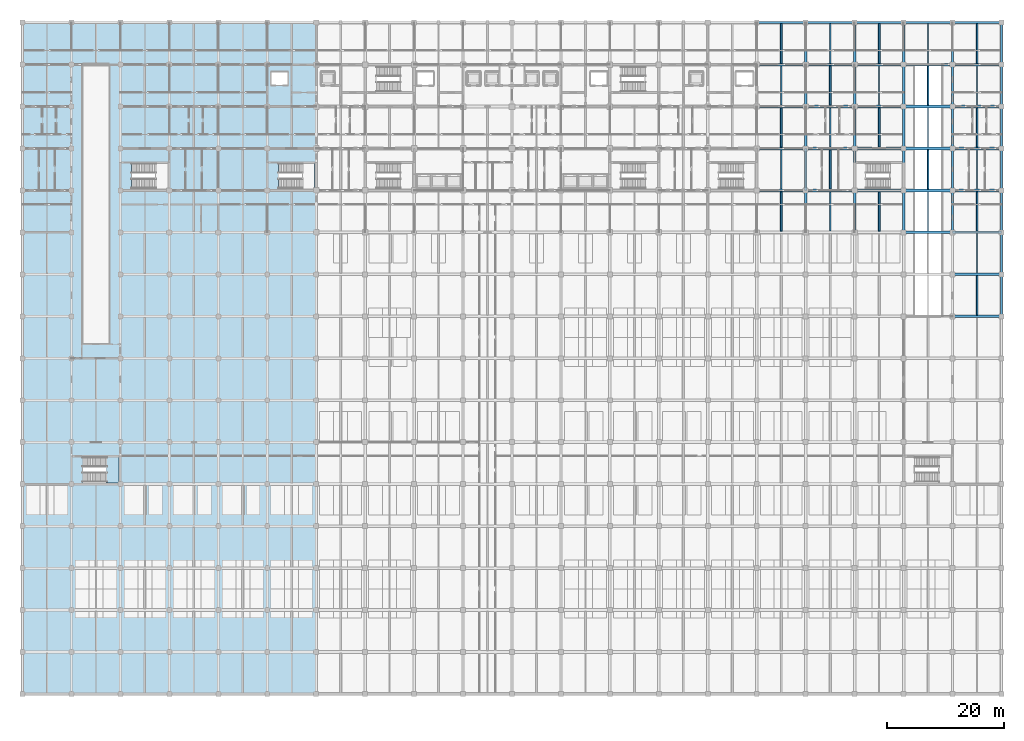
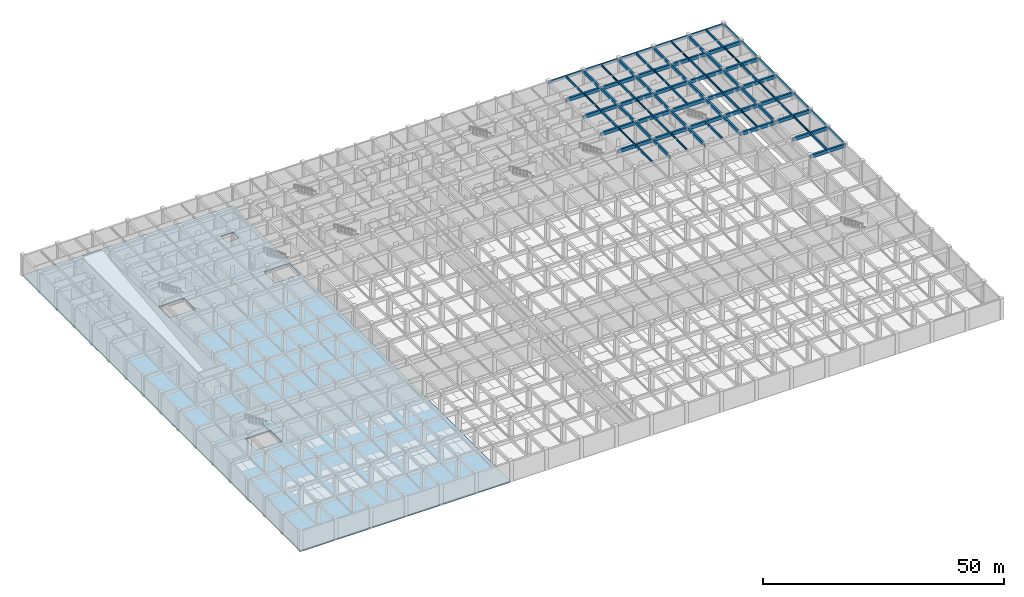
# One storey, part 11 of 48: 82 beams, 2 slabs, 1 element without a shape of its own.
"""IFC4 building model written with IfcOpenShell, lengths in metres."""

from ifc_helpers import new_model, si_unit, direction, frame, origin, origin_2d, place, context, subcontext, project, spatial, polyline, rectangle, i_section, outline, extrude, material, layer, layer_set, material_profile, profile_set, type_object, element, aggregate, save


model = new_model("IFC4")

# Units and contexts
model_context = context("Model", 3, precision=1e-05, world=origin(), true_north=direction((0.0, 1.0)))
body_context = subcontext(model_context, "Body", "Model", "MODEL_VIEW")
ifc_project = project(units=[si_unit("LENGTHUNIT", "METRE"), si_unit("AREAUNIT", "SQUARE_METRE"), si_unit("VOLUMEUNIT", "CUBIC_METRE"), si_unit("PLANEANGLEUNIT", "RADIAN"), si_unit("MASSUNIT", "GRAM", prefix="KILO")], contexts=[model_context])

# Site, building, storey
site_placement = place(None, origin())
site = spatial("IfcSite", under=ifc_project, at=site_placement, CompositionType="ELEMENT")
building_placement = place(site_placement, origin())
building = spatial("IfcBuilding", under=site, at=building_placement, Name="Chengyuan Square Courthouse", CompositionType="ELEMENT")
storey_placement = place(building_placement, frame((0.0, 0.0, -5.39990234375)))
storey = spatial("IfcBuildingStorey", under=building, at=storey_placement, Name="B01", CompositionType="ELEMENT", Elevation=-5.39990234375)

# Beams
ifc_material_1 = material(Name="Concrete C40", Category="concrete")
ifc_material_profile_1 = material_profile(ifc_material_1, rectangle(XDim=0.449951171875, YDim=0.85009765625, at=origin_2d()), Name="RC-BM-450x850")
ifc_profile_set_1 = profile_set([ifc_material_profile_1], Name="Concrete C40")
beam_type_1 = type_object("IfcBeamType", Name="BM-01", PredefinedType="USERDEFINED", material=ifc_profile_set_1)
for number, where, z_axis, x_axis, name in (
    (1, (159.60009765625, 64.800048828125, 4.6748046875), (1.0, 0.0, 0.0), (0.0, 1.0, 0.0), "Girder BM-B01-0870"),
    (2, (159.60009765625, 72.0, 4.6748046875), (1.0, 0.0, 0.0), (0.0, 1.0, 0.0), "Girder BM-B01-0889"),
):
    element("IfcBeam", number, at=place(storey_placement, frame(where, z_axis=z_axis, x_axis=x_axis)), inside=storey, type_object=beam_type_1, Name=name, ObjectType="GIRDER", PredefinedType="USERDEFINED", context=body_context, shape_type="SweptSolid", body=[
        extrude(rectangle(XDim=0.449951171875, YDim=0.85009765625, at=origin_2d()), origin(), (0.0, 0.0, 1.0), 8.39990234375),
    ])
beam_1_placement = place(storey_placement, frame((151.199951171875, 79.199951171875, 4.6748046875), z_axis=(1.0, 0.0, 0.0), x_axis=(0.0, 1.0, 0.0)))
element("IfcBeam", 3, at=beam_1_placement, inside=storey, type_object=beam_type_1, Name="Girder BM-B01-0907", ObjectType="GIRDER", PredefinedType="USERDEFINED", context=body_context, shape_type="SweptSolid", body=[
    extrude(rectangle(XDim=0.449951171875, YDim=0.85009765625, at=origin_2d()), origin(), (0.0, 0.0, 1.0), 8.400146484375),
])
for number, where, z_axis, x_axis, name in (
    (4, (159.60009765625, 79.199951171875, 4.6748046875), (1.0, 0.0, 0.0), (0.0, 1.0, 0.0), "Girder BM-B01-0908"),
    (5, (126.0, 86.39990234375, 4.6748046875), (1.0, 0.0, 0.0), (0.0, 1.0, 0.0), "Girder BM-B01-0923"),
):
    element("IfcBeam", number, at=place(storey_placement, frame(where, z_axis=z_axis, x_axis=x_axis)), inside=storey, type_object=beam_type_1, Name=name, ObjectType="GIRDER", PredefinedType="USERDEFINED", context=body_context, shape_type="SweptSolid", body=[
        extrude(rectangle(XDim=0.449951171875, YDim=0.85009765625, at=origin_2d()), origin(), (0.0, 0.0, 1.0), 8.39990234375),
    ])
beam_2_placement = place(storey_placement, frame((134.39990234375, 86.39990234375, 4.6748046875), z_axis=(1.0, 0.0, 0.0), x_axis=(0.0, 1.0, 0.0)))
element("IfcBeam", 6, at=beam_2_placement, inside=storey, type_object=beam_type_1, Name="Girder BM-B01-0924", ObjectType="GIRDER", PredefinedType="USERDEFINED", context=body_context, shape_type="SweptSolid", body=[
    extrude(rectangle(XDim=0.449951171875, YDim=0.85009765625, at=origin_2d()), origin(), (0.0, 0.0, 1.0), 8.400146484375),
])
beam_3_placement = place(storey_placement, frame((142.800048828125, 86.39990234375, 4.6748046875), z_axis=(1.0, 0.0, 0.0), x_axis=(0.0, 1.0, 0.0)))
element("IfcBeam", 7, at=beam_3_placement, inside=storey, type_object=beam_type_1, Name="Girder BM-B01-0925", ObjectType="GIRDER", PredefinedType="USERDEFINED", context=body_context, shape_type="SweptSolid", body=[
    extrude(rectangle(XDim=0.449951171875, YDim=0.85009765625, at=origin_2d()), origin(), (0.0, 0.0, 1.0), 8.39990234375),
])
beam_4_placement = place(storey_placement, frame((151.199951171875, 86.39990234375, 4.6748046875), z_axis=(1.0, 0.0, 0.0), x_axis=(0.0, 1.0, 0.0)))
element("IfcBeam", 8, at=beam_4_placement, inside=storey, type_object=beam_type_1, Name="Girder BM-B01-0926", ObjectType="GIRDER", PredefinedType="USERDEFINED", context=body_context, shape_type="SweptSolid", body=[
    extrude(rectangle(XDim=0.449951171875, YDim=0.85009765625, at=origin_2d()), origin(), (0.0, 0.0, 1.0), 8.400146484375),
])
for number, where, z_axis, x_axis, name in (
    (9, (159.60009765625, 86.39990234375, 4.6748046875), (1.0, 0.0, 0.0), (0.0, 1.0, 0.0), "Girder BM-B01-0927"),
    (10, (126.0, 93.60009765625, 4.6748046875), (1.0, 0.0, 0.0), (0.0, 1.0, 0.0), "Girder BM-B01-0942"),
):
    element("IfcBeam", number, at=place(storey_placement, frame(where, z_axis=z_axis, x_axis=x_axis)), inside=storey, type_object=beam_type_1, Name=name, ObjectType="GIRDER", PredefinedType="USERDEFINED", context=body_context, shape_type="SweptSolid", body=[
        extrude(rectangle(XDim=0.449951171875, YDim=0.85009765625, at=origin_2d()), origin(), (0.0, 0.0, 1.0), 8.39990234375),
    ])
beam_5_placement = place(storey_placement, frame((134.39990234375, 93.60009765625, 4.6748046875), z_axis=(1.0, 0.0, 0.0), x_axis=(0.0, 1.0, 0.0)))
element("IfcBeam", 11, at=beam_5_placement, inside=storey, type_object=beam_type_1, Name="Girder BM-B01-0943", ObjectType="GIRDER", PredefinedType="USERDEFINED", context=body_context, shape_type="SweptSolid", body=[
    extrude(rectangle(XDim=0.449951171875, YDim=0.85009765625, at=origin_2d()), origin(), (0.0, 0.0, 1.0), 8.400146484375),
])
beam_6_placement = place(storey_placement, frame((142.800048828125, 93.60009765625, 4.6748046875), z_axis=(1.0, 0.0, 0.0), x_axis=(0.0, 1.0, 0.0)))
element("IfcBeam", 12, at=beam_6_placement, inside=storey, type_object=beam_type_1, Name="Girder BM-B01-0944", ObjectType="GIRDER", PredefinedType="USERDEFINED", context=body_context, shape_type="SweptSolid", body=[
    extrude(rectangle(XDim=0.449951171875, YDim=0.85009765625, at=origin_2d()), origin(), (0.0, 0.0, 1.0), 8.39990234375),
])
beam_7_placement = place(storey_placement, frame((151.199951171875, 93.60009765625, 4.6748046875), z_axis=(1.0, 0.0, 0.0), x_axis=(0.0, 1.0, 0.0)))
element("IfcBeam", 13, at=beam_7_placement, inside=storey, type_object=beam_type_1, Name="Girder BM-B01-0945", ObjectType="GIRDER", PredefinedType="USERDEFINED", context=body_context, shape_type="SweptSolid", body=[
    extrude(rectangle(XDim=0.449951171875, YDim=0.85009765625, at=origin_2d()), origin(), (0.0, 0.0, 1.0), 8.400146484375),
])
for number, where, z_axis, x_axis, name in (
    (14, (159.60009765625, 93.60009765625, 4.6748046875), (1.0, 0.0, 0.0), (0.0, 1.0, 0.0), "Girder BM-B01-0946"),
    (15, (126.0, 100.800048828125, 4.6748046875), (1.0, 0.0, 0.0), (0.0, 1.0, 0.0), "Girder BM-B01-0961"),
):
    element("IfcBeam", number, at=place(storey_placement, frame(where, z_axis=z_axis, x_axis=x_axis)), inside=storey, type_object=beam_type_1, Name=name, ObjectType="GIRDER", PredefinedType="USERDEFINED", context=body_context, shape_type="SweptSolid", body=[
        extrude(rectangle(XDim=0.449951171875, YDim=0.85009765625, at=origin_2d()), origin(), (0.0, 0.0, 1.0), 8.39990234375),
    ])
beam_8_placement = place(storey_placement, frame((134.39990234375, 100.800048828125, 4.6748046875), z_axis=(1.0, 0.0, 0.0), x_axis=(0.0, 1.0, 0.0)))
element("IfcBeam", 16, at=beam_8_placement, inside=storey, type_object=beam_type_1, Name="Girder BM-B01-0962", ObjectType="GIRDER", PredefinedType="USERDEFINED", context=body_context, shape_type="SweptSolid", body=[
    extrude(rectangle(XDim=0.449951171875, YDim=0.85009765625, at=origin_2d()), origin(), (0.0, 0.0, 1.0), 8.400146484375),
])
beam_9_placement = place(storey_placement, frame((142.800048828125, 100.800048828125, 4.6748046875), z_axis=(1.0, 0.0, 0.0), x_axis=(0.0, 1.0, 0.0)))
element("IfcBeam", 17, at=beam_9_placement, inside=storey, type_object=beam_type_1, Name="Girder BM-B01-0963", ObjectType="GIRDER", PredefinedType="USERDEFINED", context=body_context, shape_type="SweptSolid", body=[
    extrude(rectangle(XDim=0.449951171875, YDim=0.85009765625, at=origin_2d()), origin(), (0.0, 0.0, 1.0), 8.39990234375),
])
beam_10_placement = place(storey_placement, frame((151.199951171875, 100.800048828125, 4.6748046875), z_axis=(1.0, 0.0, 0.0), x_axis=(0.0, 1.0, 0.0)))
element("IfcBeam", 18, at=beam_10_placement, inside=storey, type_object=beam_type_1, Name="Girder BM-B01-0964", ObjectType="GIRDER", PredefinedType="USERDEFINED", context=body_context, shape_type="SweptSolid", body=[
    extrude(rectangle(XDim=0.449951171875, YDim=0.85009765625, at=origin_2d()), origin(), (0.0, 0.0, 1.0), 8.400146484375),
])
for number, where, z_axis, x_axis, name in (
    (19, (159.60009765625, 100.800048828125, 4.6748046875), (1.0, 0.0, 0.0), (0.0, 1.0, 0.0), "Girder BM-B01-0965"),
    (20, (126.0, 108.0, 4.554931640625), (1.0, 0.0, 0.0), (0.0, 1.0, 0.0), "Girder BM-B01-0981"),
):
    element("IfcBeam", number, at=place(storey_placement, frame(where, z_axis=z_axis, x_axis=x_axis)), inside=storey, type_object=beam_type_1, Name=name, ObjectType="GIRDER", PredefinedType="USERDEFINED", context=body_context, shape_type="SweptSolid", body=[
        extrude(rectangle(XDim=0.449951171875, YDim=0.85009765625, at=origin_2d()), origin(), (0.0, 0.0, 1.0), 8.39990234375),
    ])
beam_11_placement = place(storey_placement, frame((134.39990234375, 108.0, 4.554931640625), z_axis=(1.0, 0.0, 0.0), x_axis=(0.0, 1.0, 0.0)))
element("IfcBeam", 21, at=beam_11_placement, inside=storey, type_object=beam_type_1, Name="Girder BM-B01-0982", ObjectType="GIRDER", PredefinedType="USERDEFINED", context=body_context, shape_type="SweptSolid", body=[
    extrude(rectangle(XDim=0.449951171875, YDim=0.85009765625, at=origin_2d()), origin(), (0.0, 0.0, 1.0), 8.400146484375),
])
beam_12_placement = place(storey_placement, frame((142.800048828125, 108.0, 4.554931640625), z_axis=(1.0, 0.0, 0.0), x_axis=(0.0, 1.0, 0.0)))
element("IfcBeam", 22, at=beam_12_placement, inside=storey, type_object=beam_type_1, Name="Girder BM-B01-0983", ObjectType="GIRDER", PredefinedType="USERDEFINED", context=body_context, shape_type="SweptSolid", body=[
    extrude(rectangle(XDim=0.449951171875, YDim=0.85009765625, at=origin_2d()), origin(), (0.0, 0.0, 1.0), 8.39990234375),
])
beam_13_placement = place(storey_placement, frame((151.199951171875, 108.0, 4.554931640625), z_axis=(1.0, 0.0, 0.0), x_axis=(0.0, 1.0, 0.0)))
element("IfcBeam", 23, at=beam_13_placement, inside=storey, type_object=beam_type_1, Name="Girder BM-B01-0984", ObjectType="GIRDER", PredefinedType="USERDEFINED", context=body_context, shape_type="SweptSolid", body=[
    extrude(rectangle(XDim=0.449951171875, YDim=0.85009765625, at=origin_2d()), origin(), (0.0, 0.0, 1.0), 8.400146484375),
])
beam_14_placement = place(storey_placement, frame((159.60009765625, 108.0, 4.554931640625), z_axis=(1.0, 0.0, 0.0), x_axis=(0.0, 1.0, 0.0)))
element("IfcBeam", 24, at=beam_14_placement, inside=storey, type_object=beam_type_1, Name="Girder BM-B01-0985", ObjectType="GIRDER", PredefinedType="USERDEFINED", context=body_context, shape_type="SweptSolid", body=[
    extrude(rectangle(XDim=0.449951171875, YDim=0.85009765625, at=origin_2d()), origin(), (0.0, 0.0, 1.0), 8.39990234375),
])
ifc_material_profile_2 = material_profile(ifc_material_1, rectangle(XDim=0.39990234375, YDim=0.75, at=origin_2d()), Name="RC-BM-400x750")
ifc_profile_set_2 = profile_set([ifc_material_profile_2], Name="Concrete C40")
beam_type_2 = type_object("IfcBeamType", Name="BM-02", PredefinedType="USERDEFINED", material=ifc_profile_set_2)
beam_15_placement = place(storey_placement, frame((134.39990234375, 79.199951171875, 4.724853515625), z_axis=(0.0, 1.0, 0.0), x_axis=(-1.0, 0.0, 0.0)))
element("IfcBeam", 25, at=beam_15_placement, inside=storey, type_object=beam_type_2, Name="Girder BM-B01-1273", ObjectType="GIRDER", PredefinedType="USERDEFINED", context=body_context, shape_type="SweptSolid", body=[
    extrude(rectangle(XDim=0.39990234375, YDim=0.75, at=origin_2d()), origin(), (0.0, 0.0, 1.0), 7.199951171875),
])
beam_16_placement = place(storey_placement, frame((134.39990234375, 86.39990234375, 4.724853515625), z_axis=(0.0, 1.0, 0.0), x_axis=(-1.0, 0.0, 0.0)))
element("IfcBeam", 26, at=beam_16_placement, inside=storey, type_object=beam_type_2, Name="Girder BM-B01-1274", ObjectType="GIRDER", PredefinedType="USERDEFINED", context=body_context, shape_type="SweptSolid", body=[
    extrude(rectangle(XDim=0.39990234375, YDim=0.75, at=origin_2d()), origin(), (0.0, 0.0, 1.0), 7.2001953125),
])
for number, where, z_axis, x_axis, name in (
    (27, (134.39990234375, 93.60009765625, 4.724853515625), (0.0, 1.0, 0.0), (-1.0, 0.0, 0.0), "Girder BM-B01-1275"),
    (28, (134.39990234375, 100.800048828125, 4.724853515625), (0.0, 1.0, 0.0), (-1.0, 0.0, 0.0), "Girder BM-B01-1276"),
    (29, (134.39990234375, 108.0, 4.60498046875), (0.0, 1.0, 0.0), (-1.0, 0.0, 0.0), "Girder BM-B01-1277"),
    (30, (142.800048828125, 79.199951171875, 4.724853515625), (0.0, 1.0, 0.0), (-1.0, 0.0, 0.0), "Girder BM-B01-1289"),
):
    element("IfcBeam", number, at=place(storey_placement, frame(where, z_axis=z_axis, x_axis=x_axis)), inside=storey, type_object=beam_type_2, Name=name, ObjectType="GIRDER", PredefinedType="USERDEFINED", context=body_context, shape_type="SweptSolid", body=[
        extrude(rectangle(XDim=0.39990234375, YDim=0.75, at=origin_2d()), origin(), (0.0, 0.0, 1.0), 7.199951171875),
    ])
beam_17_placement = place(storey_placement, frame((142.800048828125, 86.39990234375, 4.724853515625), z_axis=(0.0, 1.0, 0.0), x_axis=(-1.0, 0.0, 0.0)))
element("IfcBeam", 31, at=beam_17_placement, inside=storey, type_object=beam_type_2, Name="Girder BM-B01-1290", ObjectType="GIRDER", PredefinedType="USERDEFINED", context=body_context, shape_type="SweptSolid", body=[
    extrude(rectangle(XDim=0.39990234375, YDim=0.75, at=origin_2d()), origin(), (0.0, 0.0, 1.0), 7.2001953125),
])
for number, where, z_axis, x_axis, name in (
    (32, (142.800048828125, 93.60009765625, 4.724853515625), (0.0, 1.0, 0.0), (-1.0, 0.0, 0.0), "Girder BM-B01-1291"),
    (33, (142.800048828125, 100.800048828125, 4.724853515625), (0.0, 1.0, 0.0), (-1.0, 0.0, 0.0), "Girder BM-B01-1292"),
    (34, (142.800048828125, 108.0, 4.60498046875), (0.0, 1.0, 0.0), (-1.0, 0.0, 0.0), "Girder BM-B01-1293"),
    (35, (151.199951171875, 79.199951171875, 4.724853515625), (0.0, 1.0, 0.0), (-1.0, 0.0, 0.0), "Girder BM-B01-1305"),
):
    element("IfcBeam", number, at=place(storey_placement, frame(where, z_axis=z_axis, x_axis=x_axis)), inside=storey, type_object=beam_type_2, Name=name, ObjectType="GIRDER", PredefinedType="USERDEFINED", context=body_context, shape_type="SweptSolid", body=[
        extrude(rectangle(XDim=0.39990234375, YDim=0.75, at=origin_2d()), origin(), (0.0, 0.0, 1.0), 7.199951171875),
    ])
beam_18_placement = place(storey_placement, frame((151.199951171875, 86.39990234375, 4.724853515625), z_axis=(0.0, 1.0, 0.0), x_axis=(-1.0, 0.0, 0.0)))
element("IfcBeam", 36, at=beam_18_placement, inside=storey, type_object=beam_type_2, Name="Girder BM-B01-1306", ObjectType="GIRDER", PredefinedType="USERDEFINED", context=body_context, shape_type="SweptSolid", body=[
    extrude(rectangle(XDim=0.39990234375, YDim=0.75, at=origin_2d()), origin(), (0.0, 0.0, 1.0), 7.2001953125),
])
for number, where, z_axis, x_axis, name in (
    (37, (151.199951171875, 93.60009765625, 4.724853515625), (0.0, 1.0, 0.0), (-1.0, 0.0, 0.0), "Girder BM-B01-1307"),
    (38, (151.199951171875, 100.800048828125, 4.724853515625), (0.0, 1.0, 0.0), (-1.0, 0.0, 0.0), "Girder BM-B01-1308"),
    (39, (151.199951171875, 108.0, 4.60498046875), (0.0, 1.0, 0.0), (-1.0, 0.0, 0.0), "Girder BM-B01-1309"),
    (40, (159.60009765625, 79.199951171875, 4.724853515625), (0.0, 1.0, 0.0), (-1.0, 0.0, 0.0), "Girder BM-B01-1321"),
):
    element("IfcBeam", number, at=place(storey_placement, frame(where, z_axis=z_axis, x_axis=x_axis)), inside=storey, type_object=beam_type_2, Name=name, ObjectType="GIRDER", PredefinedType="USERDEFINED", context=body_context, shape_type="SweptSolid", body=[
        extrude(rectangle(XDim=0.39990234375, YDim=0.75, at=origin_2d()), origin(), (0.0, 0.0, 1.0), 7.199951171875),
    ])
beam_19_placement = place(storey_placement, frame((159.60009765625, 86.39990234375, 4.724853515625), z_axis=(0.0, 1.0, 0.0), x_axis=(-1.0, 0.0, 0.0)))
element("IfcBeam", 41, at=beam_19_placement, inside=storey, type_object=beam_type_2, Name="Girder BM-B01-1322", ObjectType="GIRDER", PredefinedType="USERDEFINED", context=body_context, shape_type="SweptSolid", body=[
    extrude(rectangle(XDim=0.39990234375, YDim=0.75, at=origin_2d()), origin(), (0.0, 0.0, 1.0), 7.2001953125),
])
for number, where, z_axis, x_axis, name in (
    (42, (159.60009765625, 93.60009765625, 4.724853515625), (0.0, 1.0, 0.0), (-1.0, 0.0, 0.0), "Girder BM-B01-1323"),
    (43, (159.60009765625, 100.800048828125, 4.724853515625), (0.0, 1.0, 0.0), (-1.0, 0.0, 0.0), "Girder BM-B01-1324"),
    (44, (159.60009765625, 108.0, 4.60498046875), (0.0, 1.0, 0.0), (-1.0, 0.0, 0.0), "Girder BM-B01-1325"),
):
    element("IfcBeam", number, at=place(storey_placement, frame(where, z_axis=z_axis, x_axis=x_axis)), inside=storey, type_object=beam_type_2, Name=name, ObjectType="GIRDER", PredefinedType="USERDEFINED", context=body_context, shape_type="SweptSolid", body=[
        extrude(rectangle(XDim=0.39990234375, YDim=0.75, at=origin_2d()), origin(), (0.0, 0.0, 1.0), 7.199951171875),
    ])
ifc_material_profile_3 = material_profile(ifc_material_1, rectangle(XDim=0.35009765625, YDim=0.64990234375, at=origin_2d()), Name="RC-BM-350x650")
ifc_profile_set_3 = profile_set([ifc_material_profile_3], Name="Concrete C40")
beam_type_3 = type_object("IfcBeamType", Name="BM-03", PredefinedType="SPANDREL", material=ifc_profile_set_3)
beam_20_placement = place(storey_placement, frame((126.0, 115.199951171875, 4.65478515625), z_axis=(1.0, 0.0, 0.0), x_axis=(0.0, 1.0, 0.0)))
element("IfcBeam", 45, at=beam_20_placement, inside=storey, type_object=beam_type_3, Name="Girder BM-B01-1001", PredefinedType="SPANDREL", context=body_context, shape_type="SweptSolid", body=[
    extrude(rectangle(XDim=0.35009765625, YDim=0.64990234375, at=origin_2d()), origin(), (0.0, 0.0, 1.0), 8.39990234375),
])
beam_21_placement = place(storey_placement, frame((134.39990234375, 115.199951171875, 4.65478515625), z_axis=(1.0, 0.0, 0.0), x_axis=(0.0, 1.0, 0.0)))
element("IfcBeam", 46, at=beam_21_placement, inside=storey, type_object=beam_type_3, Name="Girder BM-B01-1002", PredefinedType="SPANDREL", context=body_context, shape_type="SweptSolid", body=[
    extrude(rectangle(XDim=0.35009765625, YDim=0.64990234375, at=origin_2d()), origin(), (0.0, 0.0, 1.0), 8.400146484375),
])
beam_22_placement = place(storey_placement, frame((142.800048828125, 115.199951171875, 4.65478515625), z_axis=(1.0, 0.0, 0.0), x_axis=(0.0, 1.0, 0.0)))
element("IfcBeam", 47, at=beam_22_placement, inside=storey, type_object=beam_type_3, Name="Girder BM-B01-1003", PredefinedType="SPANDREL", context=body_context, shape_type="SweptSolid", body=[
    extrude(rectangle(XDim=0.35009765625, YDim=0.64990234375, at=origin_2d()), origin(), (0.0, 0.0, 1.0), 8.39990234375),
])
beam_23_placement = place(storey_placement, frame((151.199951171875, 115.199951171875, 4.65478515625), z_axis=(1.0, 0.0, 0.0), x_axis=(0.0, 1.0, 0.0)))
element("IfcBeam", 48, at=beam_23_placement, inside=storey, type_object=beam_type_3, Name="Girder BM-B01-1004", PredefinedType="SPANDREL", context=body_context, shape_type="SweptSolid", body=[
    extrude(rectangle(XDim=0.35009765625, YDim=0.64990234375, at=origin_2d()), origin(), (0.0, 0.0, 1.0), 8.400146484375),
])
beam_24_placement = place(storey_placement, frame((159.60009765625, 115.199951171875, 4.65478515625), z_axis=(1.0, 0.0, 0.0), x_axis=(0.0, 1.0, 0.0)))
element("IfcBeam", 49, at=beam_24_placement, inside=storey, type_object=beam_type_3, Name="Girder BM-B01-1005", PredefinedType="SPANDREL", context=body_context, shape_type="SweptSolid", body=[
    extrude(rectangle(XDim=0.35009765625, YDim=0.64990234375, at=origin_2d()), origin(), (0.0, 0.0, 1.0), 8.39990234375),
])
for number, where, z_axis, x_axis, name in (
    (50, (168.0, 64.800048828125, 4.77490234375), (0.0, 1.0, 0.0), (-1.0, 0.0, 0.0), "Girder BM-B01-1335"),
    (51, (168.0, 72.0, 4.77490234375), (0.0, 1.0, 0.0), (-1.0, 0.0, 0.0), "Girder BM-B01-1336"),
    (52, (168.0, 79.199951171875, 4.77490234375), (0.0, 1.0, 0.0), (-1.0, 0.0, 0.0), "Girder BM-B01-1337"),
):
    element("IfcBeam", number, at=place(storey_placement, frame(where, z_axis=z_axis, x_axis=x_axis)), inside=storey, type_object=beam_type_3, Name=name, PredefinedType="SPANDREL", context=body_context, shape_type="SweptSolid", body=[
        extrude(rectangle(XDim=0.35009765625, YDim=0.64990234375, at=origin_2d()), origin(), (0.0, 0.0, 1.0), 7.199951171875),
    ])
beam_25_placement = place(storey_placement, frame((168.0, 86.39990234375, 4.77490234375), z_axis=(0.0, 1.0, 0.0), x_axis=(-1.0, 0.0, 0.0)))
element("IfcBeam", 53, at=beam_25_placement, inside=storey, type_object=beam_type_3, Name="Girder BM-B01-1338", PredefinedType="SPANDREL", context=body_context, shape_type="SweptSolid", body=[
    extrude(rectangle(XDim=0.35009765625, YDim=0.64990234375, at=origin_2d()), origin(), (0.0, 0.0, 1.0), 7.2001953125),
])
for number, where, z_axis, x_axis, name in (
    (54, (168.0, 93.60009765625, 4.77490234375), (0.0, 1.0, 0.0), (-1.0, 0.0, 0.0), "Girder BM-B01-1339"),
    (55, (168.0, 100.800048828125, 4.77490234375), (0.0, 1.0, 0.0), (-1.0, 0.0, 0.0), "Girder BM-B01-1340"),
    (56, (168.0, 108.0, 4.65478515625), (0.0, 1.0, 0.0), (-1.0, 0.0, 0.0), "Girder BM-B01-1341"),
):
    element("IfcBeam", number, at=place(storey_placement, frame(where, z_axis=z_axis, x_axis=x_axis)), inside=storey, type_object=beam_type_3, Name=name, PredefinedType="SPANDREL", context=body_context, shape_type="SweptSolid", body=[
        extrude(rectangle(XDim=0.35009765625, YDim=0.64990234375, at=origin_2d()), origin(), (0.0, 0.0, 1.0), 7.199951171875),
    ])
ifc_material_profile_4 = material_profile(ifc_material_1, rectangle(XDim=0.300048828125, YDim=0.550048828125, at=origin_2d()), Name="RC-BM-300x550")
ifc_profile_set_4 = profile_set([ifc_material_profile_4], Name="Concrete C40")
beam_type_4 = type_object("IfcBeamType", Name="BM-04", PredefinedType="BEAM", material=ifc_profile_set_4)
for number, where, z_axis, x_axis, name in (
    (57, (130.199951171875, 79.425048828125, 4.824951171875), (0.0, 1.0, 0.0), (-1.0, 0.0, 0.0), "Secondary Floor Beam SBM-B01-1574"),
    (58, (130.199951171875, 93.824951171875, 4.824951171875), (0.0, 1.0, 0.0), (-1.0, 0.0, 0.0), "Secondary Floor Beam SBM-B01-1576"),
):
    element("IfcBeam", number, at=place(storey_placement, frame(where, z_axis=z_axis, x_axis=x_axis)), inside=storey, type_object=beam_type_4, Name=name, PredefinedType="BEAM", context=body_context, shape_type="SweptSolid", body=[
        extrude(rectangle(XDim=0.300048828125, YDim=0.550048828125, at=origin_2d()), origin(), (0.0, 0.0, 1.0), 6.75),
    ])
beam_26_placement = place(storey_placement, frame((130.199951171875, 108.22509765625, 4.704833984375), z_axis=(0.0, 1.0, 0.0), x_axis=(-1.0, 0.0, 0.0)))
element("IfcBeam", 59, at=beam_26_placement, inside=storey, type_object=beam_type_4, Name="Secondary Floor Beam SBM-B01-1578", PredefinedType="BEAM", context=body_context, shape_type="SweptSolid", body=[
    extrude(rectangle(XDim=0.300048828125, YDim=0.550048828125, at=origin_2d()), origin(), (0.0, 0.0, 1.0), 6.7998046875),
])
for number, where, z_axis, x_axis, name in (
    (60, (138.60009765625, 86.625, 4.824951171875), (0.0, 1.0, 0.0), (-1.0, 0.0, 0.0), "Secondary Floor Beam SBM-B01-1591"),
    (61, (138.60009765625, 101.02490234375, 4.824951171875), (0.0, 1.0, 0.0), (-1.0, 0.0, 0.0), "Secondary Floor Beam SBM-B01-1593"),
    (62, (147.0, 79.425048828125, 4.824951171875), (0.0, 1.0, 0.0), (-1.0, 0.0, 0.0), "Secondary Floor Beam SBM-B01-1606"),
    (63, (147.0, 93.824951171875, 4.824951171875), (0.0, 1.0, 0.0), (-1.0, 0.0, 0.0), "Secondary Floor Beam SBM-B01-1607"),
):
    element("IfcBeam", number, at=place(storey_placement, frame(where, z_axis=z_axis, x_axis=x_axis)), inside=storey, type_object=beam_type_4, Name=name, PredefinedType="BEAM", context=body_context, shape_type="SweptSolid", body=[
        extrude(rectangle(XDim=0.300048828125, YDim=0.550048828125, at=origin_2d()), origin(), (0.0, 0.0, 1.0), 6.75),
    ])
beam_27_placement = place(storey_placement, frame((147.0, 108.22509765625, 4.704833984375), z_axis=(0.0, 1.0, 0.0), x_axis=(-1.0, 0.0, 0.0)))
element("IfcBeam", 64, at=beam_27_placement, inside=storey, type_object=beam_type_4, Name="Secondary Floor Beam SBM-B01-1609", PredefinedType="BEAM", context=body_context, shape_type="SweptSolid", body=[
    extrude(rectangle(XDim=0.300048828125, YDim=0.550048828125, at=origin_2d()), origin(), (0.0, 0.0, 1.0), 6.7998046875),
])
for number, where, z_axis, x_axis, name in (
    (65, (155.39990234375, 86.625, 4.824951171875), (0.0, 1.0, 0.0), (-1.0, 0.0, 0.0), "Secondary Floor Beam SBM-B01-1621"),
    (66, (155.39990234375, 101.02490234375, 4.824951171875), (0.0, 1.0, 0.0), (-1.0, 0.0, 0.0), "Secondary Floor Beam SBM-B01-1623"),
    (67, (163.800048828125, 65.02490234375, 4.824951171875), (0.0, 1.0, 0.0), (-1.0, 0.0, 0.0), "Secondary Floor Beam SBM-B01-1634"),
    (68, (163.800048828125, 79.425048828125, 4.824951171875), (0.0, 1.0, 0.0), (-1.0, 0.0, 0.0), "Secondary Floor Beam SBM-B01-1636"),
    (69, (163.800048828125, 93.824951171875, 4.824951171875), (0.0, 1.0, 0.0), (-1.0, 0.0, 0.0), "Secondary Floor Beam SBM-B01-1638"),
):
    element("IfcBeam", number, at=place(storey_placement, frame(where, z_axis=z_axis, x_axis=x_axis)), inside=storey, type_object=beam_type_4, Name=name, PredefinedType="BEAM", context=body_context, shape_type="SweptSolid", body=[
        extrude(rectangle(XDim=0.300048828125, YDim=0.550048828125, at=origin_2d()), origin(), (0.0, 0.0, 1.0), 6.75),
    ])
beam_28_placement = place(storey_placement, frame((163.800048828125, 108.22509765625, 4.704833984375), z_axis=(0.0, 1.0, 0.0), x_axis=(-1.0, 0.0, 0.0)))
element("IfcBeam", 70, at=beam_28_placement, inside=storey, type_object=beam_type_4, Name="Secondary Floor Beam SBM-B01-1640", PredefinedType="BEAM", context=body_context, shape_type="SweptSolid", body=[
    extrude(rectangle(XDim=0.300048828125, YDim=0.550048828125, at=origin_2d()), origin(), (0.0, 0.0, 1.0), 6.7998046875),
])
ifc_material_2 = material(Name="Steel Q355B", Category="steel")
ifc_material_profile_5 = material_profile(ifc_material_2, i_section(OverallWidth=0.199951171875, OverallDepth=0.449951171875, WebThickness=0.009033203125, FlangeThickness=0.013916015625, at=origin_2d()), Name="HN 450x200x9x14")
ifc_profile_set_5 = profile_set([ifc_material_profile_5], Name="Steel Q355B")
beam_type_5 = type_object("IfcBeamType", Name="BM-06", PredefinedType="BEAM", material=ifc_profile_set_5)
for number, where, z_axis, x_axis, name in (
    (71, (130.199951171875, 86.625, 4.875), (0.0, 1.0, 0.0), (-1.0, 0.0, 0.0), "Secondary Floor Beam SBM-B01-1575"),
    (72, (130.199951171875, 101.02490234375, 4.875), (0.0, 1.0, 0.0), (-1.0, 0.0, 0.0), "Secondary Floor Beam SBM-B01-1577"),
    (73, (138.60009765625, 79.425048828125, 4.875), (0.0, 1.0, 0.0), (-1.0, 0.0, 0.0), "Secondary Floor Beam SBM-B01-1590"),
    (74, (138.60009765625, 93.824951171875, 4.875), (0.0, 1.0, 0.0), (-1.0, 0.0, 0.0), "Secondary Floor Beam SBM-B01-1592"),
):
    element("IfcBeam", number, at=place(storey_placement, frame(where, z_axis=z_axis, x_axis=x_axis)), inside=storey, type_object=beam_type_5, Name=name, PredefinedType="BEAM", context=body_context, shape_type="SweptSolid", body=[
        extrude(i_section(OverallWidth=0.199951171875, OverallDepth=0.449951171875, WebThickness=0.009033203125, FlangeThickness=0.013916015625, at=origin_2d()), origin(), (0.0, 0.0, 1.0), 6.75),
    ])
beam_29_placement = place(storey_placement, frame((138.60009765625, 108.22509765625, 4.7548828125), z_axis=(0.0, 1.0, 0.0), x_axis=(-1.0, 0.0, 0.0)))
element("IfcBeam", 75, at=beam_29_placement, inside=storey, type_object=beam_type_5, Name="Secondary Floor Beam SBM-B01-1594", PredefinedType="BEAM", context=body_context, shape_type="SweptSolid", body=[
    extrude(i_section(OverallWidth=0.199951171875, OverallDepth=0.449951171875, WebThickness=0.009033203125, FlangeThickness=0.013916015625, at=origin_2d()), origin(), (0.0, 0.0, 1.0), 6.7998046875),
])
for number, where, z_axis, x_axis, name in (
    (76, (147.0, 101.02490234375, 4.875), (0.0, 1.0, 0.0), (-1.0, 0.0, 0.0), "Secondary Floor Beam SBM-B01-1608"),
    (77, (155.39990234375, 79.425048828125, 4.875), (0.0, 1.0, 0.0), (-1.0, 0.0, 0.0), "Secondary Floor Beam SBM-B01-1620"),
    (78, (155.39990234375, 93.824951171875, 4.875), (0.0, 1.0, 0.0), (-1.0, 0.0, 0.0), "Secondary Floor Beam SBM-B01-1622"),
):
    element("IfcBeam", number, at=place(storey_placement, frame(where, z_axis=z_axis, x_axis=x_axis)), inside=storey, type_object=beam_type_5, Name=name, PredefinedType="BEAM", context=body_context, shape_type="SweptSolid", body=[
        extrude(i_section(OverallWidth=0.199951171875, OverallDepth=0.449951171875, WebThickness=0.009033203125, FlangeThickness=0.013916015625, at=origin_2d()), origin(), (0.0, 0.0, 1.0), 6.75),
    ])
beam_30_placement = place(storey_placement, frame((155.39990234375, 108.22509765625, 4.7548828125), z_axis=(0.0, 1.0, 0.0), x_axis=(-1.0, 0.0, 0.0)))
element("IfcBeam", 79, at=beam_30_placement, inside=storey, type_object=beam_type_5, Name="Secondary Floor Beam SBM-B01-1624", PredefinedType="BEAM", context=body_context, shape_type="SweptSolid", body=[
    extrude(i_section(OverallWidth=0.199951171875, OverallDepth=0.449951171875, WebThickness=0.009033203125, FlangeThickness=0.013916015625, at=origin_2d()), origin(), (0.0, 0.0, 1.0), 6.7998046875),
])
for number, where, z_axis, x_axis, name in (
    (80, (163.800048828125, 72.22509765625, 4.875), (0.0, 1.0, 0.0), (-1.0, 0.0, 0.0), "Secondary Floor Beam SBM-B01-1635"),
    (81, (163.800048828125, 86.625, 4.875), (0.0, 1.0, 0.0), (-1.0, 0.0, 0.0), "Secondary Floor Beam SBM-B01-1637"),
    (82, (163.800048828125, 101.02490234375, 4.875), (0.0, 1.0, 0.0), (-1.0, 0.0, 0.0), "Secondary Floor Beam SBM-B01-1639"),
):
    element("IfcBeam", number, at=place(storey_placement, frame(where, z_axis=z_axis, x_axis=x_axis)), inside=storey, type_object=beam_type_5, Name=name, PredefinedType="BEAM", context=body_context, shape_type="SweptSolid", body=[
        extrude(i_section(OverallWidth=0.199951171875, OverallDepth=0.449951171875, WebThickness=0.009033203125, FlangeThickness=0.013916015625, at=origin_2d()), origin(), (0.0, 0.0, 1.0), 6.75),
    ])

# Slab
ifc_layer_1 = layer(ifc_material_1, 0.320068359375)
ifc_layer_set_1 = layer_set([ifc_layer_1], Name="Concrete C40")
slab_type_1 = type_object("IfcSlabType", Name="SL-B01", PredefinedType="FLOOR", material=ifc_layer_set_1)
slab_1_placement = place(storey_placement, frame((0.0, 0.0, -0.320068359375)))
element("IfcSlab", 83, at=slab_1_placement, inside=storey, type_object=slab_type_1, Name="Suspended Floor Slab SL-B01-01", PredefinedType="FLOOR", context=body_context, shape_type="SweptSolid", body=[
    extrude(outline(polyline([(0.0, 28.800048828125), (0.0, 36.0), (0.0, 43.199951171875), (0.0, 50.39990234375), (0.0, 57.60009765625), (0.0, 64.800048828125), (0.0, 72.0), (0.0, 79.199951171875), (0.0, 86.39990234375), (0.0, 93.60009765625), (0.0, 100.800048828125), (0.0, 108.0), (0.0, 115.199951171875), (8.39990234375, 115.199951171875), (16.800048828125, 115.199951171875), (25.199951171875, 115.199951171875), (33.60009765625, 115.199951171875), (42.0, 115.199951171875), (50.39990234375, 115.199951171875), (50.39990234375, 0.0), (42.0, 0.0), (33.60009765625, 0.0), (25.199951171875, 0.0), (16.800048828125, 0.0), (8.39990234375, 0.0), (0.0, 0.0), (0.0, 7.199951171875), (0.0, 14.39990234375), (0.0, 21.60009765625), (0.0, 28.800048828125)]), holes=[polyline([(10.35009765625, 36.199951171875), (16.5, 36.199951171875), (16.5, 40.800048828125), (10.35009765625, 40.800048828125), (10.35009765625, 36.199951171875)]), polyline([(18.75, 91.199951171875), (18.75, 86.60009765625), (24.89990234375, 86.60009765625), (24.89990234375, 91.199951171875), (18.75, 91.199951171875)]), polyline([(43.949951171875, 91.199951171875), (43.949951171875, 86.60009765625), (50.10009765625, 86.60009765625), (50.10009765625, 91.199951171875), (43.949951171875, 91.199951171875)]), polyline([(42.60009765625, 106.800048828125), (42.60009765625, 104.39990234375), (45.60009765625, 104.39990234375), (45.60009765625, 106.800048828125), (42.60009765625, 106.800048828125)])]), origin(), (0.0, 0.0, 1.0), 0.320068359375),
])

# Stair, slab
stair_type = type_object("IfcStairType", Name="ST-TYPE-07", PredefinedType="HALF_TURN_STAIR", material=ifc_material_1)
stair_placement = place(storey_placement, origin())
stair = element("IfcStair", 84, at=stair_placement, inside=storey, type_object=stair_type, Name="Smoke-Proof Exit Stair ST-7 (B01 to L01)", PredefinedType="HALF_TURN_STAIR")
ifc_layer_2 = layer(ifc_material_1, 0.18994140625)
ifc_layer_set_2 = layer_set([ifc_layer_2], Name="Concrete C40")
slab_type_2 = type_object("IfcSlabType", Name="SL-LND1", PredefinedType="LANDING", material=ifc_layer_set_2)
slab_2_placement = place(storey_placement, frame((0.0, 0.0, 2.510009765625)))
slab_2 = element("IfcSlab", 85, at=slab_2_placement, type_object=slab_type_2, Name="ST-7 landing 1", PredefinedType="LANDING", context=body_context, shape_type="SweptSolid", body=[
    extrude(outline(polyline([(14.330078125, 36.159912109375), (16.5400390625, 36.159912109375), (16.5400390625, 40.840087890625), (14.330078125, 40.840087890625), (14.330078125, 36.159912109375)])), origin(), (0.0, 0.0, 1.0), 0.18994140625),
])
aggregate(stair, [slab_2])

save(model, "model.ifc")
